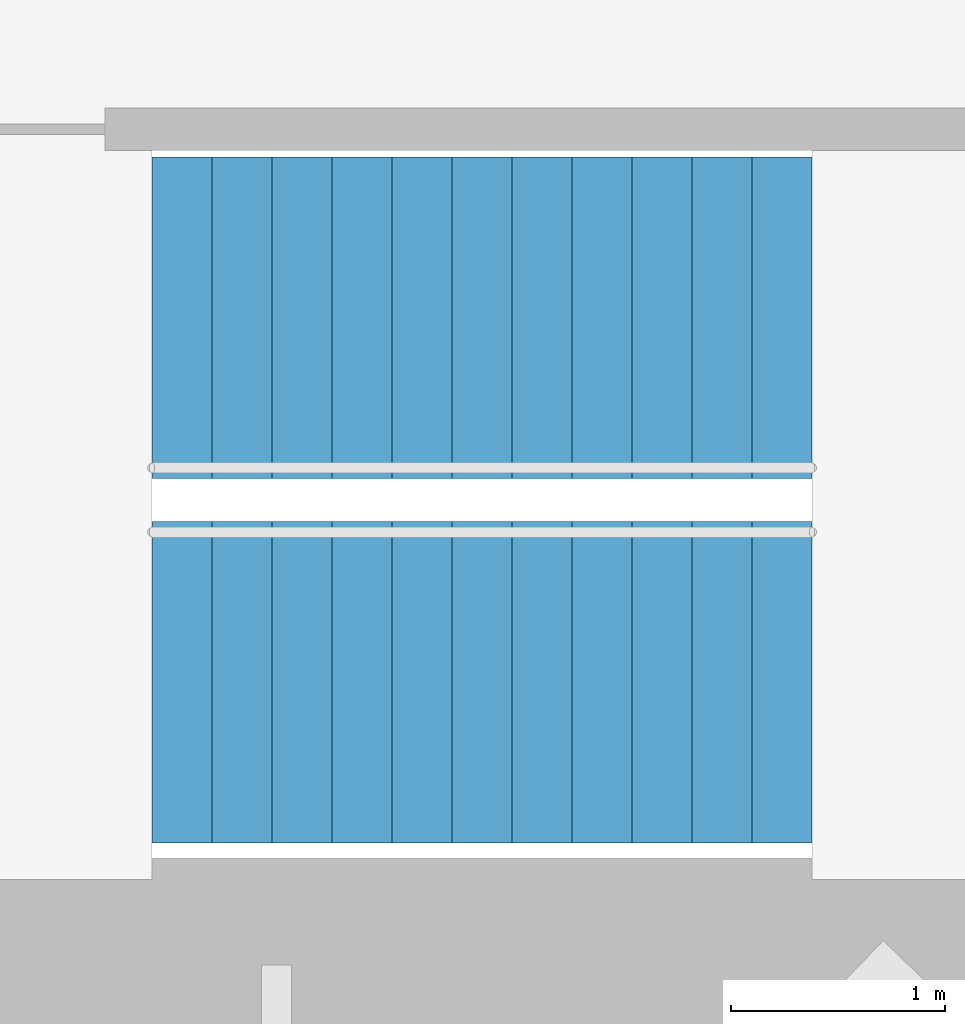
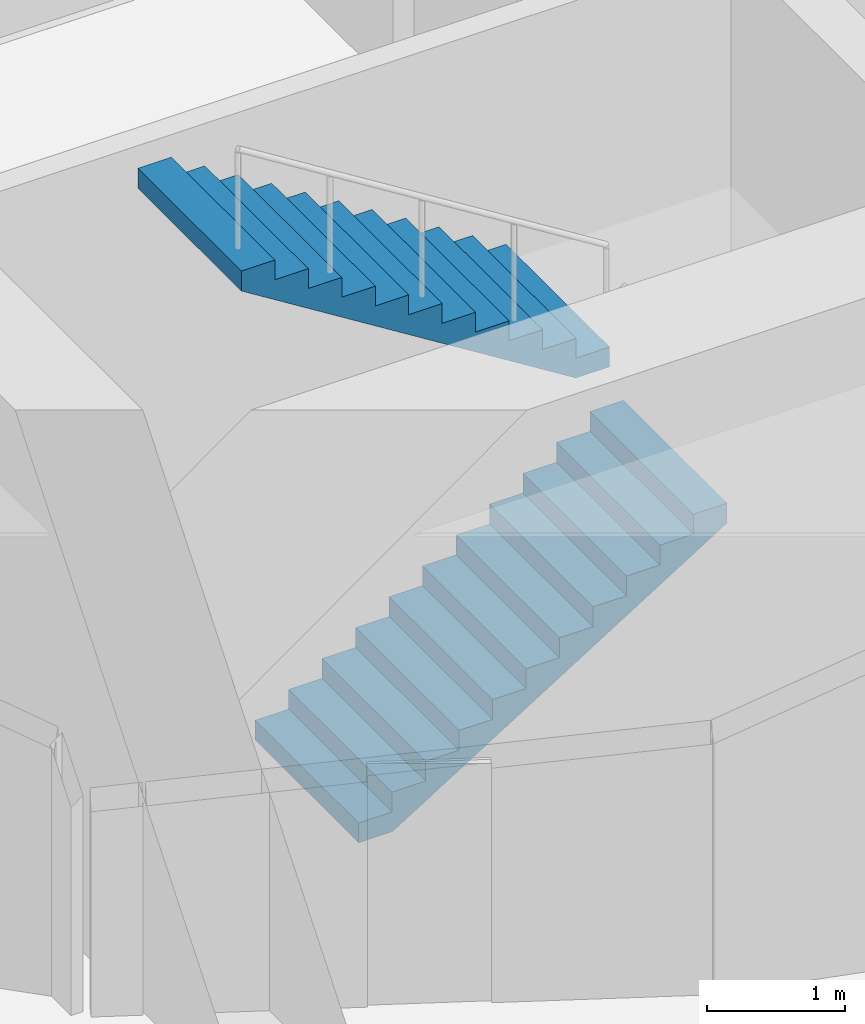
# One storey, part 17 of 19: 2 stair flights, 1 element without a shape of its own.
"""IFC4 building model written with IfcOpenShell, lengths in metres."""

from ifc_helpers import new_model, si_unit, direction, frame, origin, place, context, subcontext, project, spatial, triangles, material, type_object, element, aggregate, save


model = new_model("IFC4")

# Units and contexts
model_context = context("Model", 3, precision=1e-05, world=origin(), true_north=direction((0.0, 1.0)))
body_context = subcontext(model_context, "Body", "Model", "MODEL_VIEW")
ifc_project = project(units=[si_unit("LENGTHUNIT", "METRE"), si_unit("AREAUNIT", "SQUARE_METRE"), si_unit("VOLUMEUNIT", "CUBIC_METRE"), si_unit("PLANEANGLEUNIT", "RADIAN"), si_unit("MASSUNIT", "GRAM", prefix="KILO")], contexts=[model_context])

# Site, building, storey
site_placement = place(None, origin())
site = spatial("IfcSite", under=ifc_project, at=site_placement, CompositionType="ELEMENT")
building_placement = place(site_placement, origin())
building = spatial("IfcBuilding", under=site, at=building_placement, Name="Lantaw Convention Tower", CompositionType="ELEMENT")
storey_placement = place(building_placement, frame((0.0, 0.0, 245.199951171875)))
storey = spatial("IfcBuildingStorey", under=building, at=storey_placement, Name="L57", CompositionType="ELEMENT", Elevation=245.199951171875)

# Stair, stair flights
ifc_material = material(Name="Concrete C35/45", Category="concrete")
stair_type = type_object("IfcStairType", Name="Exit stair 1500 riser 175 in 2 flights", PredefinedType="HALF_TURN_STAIR", material=ifc_material)
stair_placement = place(storey_placement, origin())
stair = element("IfcStair", 1, at=stair_placement, inside=storey, type_object=stair_type, Name="Exit stair S1 L57", PredefinedType="HALF_TURN_STAIR")
stair_flight_type = type_object("IfcStairFlightType", Name="Stair flight 1500 riser 175", PredefinedType="STRAIGHT", material=ifc_material)
stair_flight_1_placement = place(storey_placement, frame((-10.580078125, -5.97998046875, 0.0), z_axis=(0.0, 0.0, 1.0), x_axis=(1.0, 0.0, 0.0)))
stair_flight_1 = element("IfcStairFlight", 2, at=stair_flight_1_placement, type_object=stair_flight_type, Name="S1 flight 1", NumberOfRisers=12, NumberOfTreads=11, PredefinedType="STRAIGHT", RiserHeight=0.175, TreadLength=0.28, context=body_context, shape_type="Tessellation", body=[
    triangles([(0.0, 0.75, 0.0), (0.0, 0.75, 0.175), (0.28, 0.75, 0.0), (0.28, 0.75, 0.175), (0.28, 0.75, 0.35), (0.28283517651771284, 0.75, 0.0), (0.28283517651771284, 0.75, 0.35), (0.56, 0.75, 0.17322801467642948), (0.56, 0.75, 0.35), (0.56, 0.75, 0.5249999999999999), (0.8400000000000001, 0.75, 0.34822801467642944), (0.8400000000000001, 0.75, 0.5249999999999999), (0.8400000000000001, 0.75, 0.7), (1.12, 0.75, 0.5232280146764294), (1.12, 0.75, 0.7), (1.12, 0.75, 0.875), (1.4000000000000001, 0.75, 0.6982280146764295), (1.4000000000000001, 0.75, 0.875), (1.4000000000000001, 0.75, 1.0499999999999998), (1.6800000000000002, 0.75, 0.8732280146764294), (1.6800000000000002, 0.75, 1.0499999999999998), (1.6800000000000002, 0.75, 1.2249999999999999), (1.9600000000000002, 0.75, 1.0482280146764293), (1.9600000000000002, 0.75, 1.2249999999999999), (1.9600000000000002, 0.75, 1.4), (2.24, 0.75, 1.2232280146764294), (2.24, 0.75, 1.4), (2.24, 0.75, 1.575), (2.5200000000000005, 0.75, 1.3982280146764294), (2.5200000000000005, 0.75, 1.575), (2.5200000000000005, 0.75, 1.75), (2.8000000000000003, 0.75, 1.5732280146764293), (2.8000000000000003, 0.75, 1.75), (2.8000000000000003, 0.75, 1.9249999999999998), (3.08, 0.75, 1.7482280146764293), (3.08, 0.75, 1.9249999999999998), (0.0, -0.75, 0.0), (0.0, -0.75, 0.175), (0.28, -0.75, 0.0), (0.28, -0.75, 0.175), (0.28, -0.75, 0.35), (0.28283517651771284, -0.75, 0.0), (0.28283517651771284, -0.75, 0.35), (0.56, -0.75, 0.17322801467642948), (0.56, -0.75, 0.35), (0.56, -0.75, 0.5249999999999999), (0.8400000000000001, -0.75, 0.34822801467642944), (0.8400000000000001, -0.75, 0.5249999999999999), (0.8400000000000001, -0.75, 0.7), (1.12, -0.75, 0.5232280146764294), (1.12, -0.75, 0.7), (1.12, -0.75, 0.875), (1.4000000000000001, -0.75, 0.6982280146764295), (1.4000000000000001, -0.75, 0.875), (1.4000000000000001, -0.75, 1.0499999999999998), (1.6800000000000002, -0.75, 0.8732280146764294), (1.6800000000000002, -0.75, 1.0499999999999998), (1.6800000000000002, -0.75, 1.2249999999999999), (1.9600000000000002, -0.75, 1.0482280146764293), (1.9600000000000002, -0.75, 1.2249999999999999), (1.9600000000000002, -0.75, 1.4), (2.24, -0.75, 1.2232280146764294), (2.24, -0.75, 1.4), (2.24, -0.75, 1.575), (2.5200000000000005, -0.75, 1.3982280146764294), (2.5200000000000005, -0.75, 1.575), (2.5200000000000005, -0.75, 1.75), (2.8000000000000003, -0.75, 1.5732280146764293), (2.8000000000000003, -0.75, 1.75), (2.8000000000000003, -0.75, 1.9249999999999998), (3.08, -0.75, 1.7482280146764293), (3.08, -0.75, 1.9249999999999998), (0.0, 0.15000000000000002, 0.175), (0.0, 0.15000000000000002, 0.0), (0.0, 0.0, 0.175), (0.0, 0.0, 0.0), (0.0, -0.15000000000000002, 0.175), (0.0, -0.15000000000000002, 0.0), (0.28, 0.15000000000000002, 0.35), (0.28, 0.15000000000000002, 0.175), (0.28, 0.0, 0.35), (0.28, 0.0, 0.175), (0.28, -0.15000000000000002, 0.35), (0.28, -0.15000000000000002, 0.175), (0.56, 0.15000000000000002, 0.5249999999999999), (0.56, 0.15000000000000002, 0.35), (0.56, 0.0, 0.5249999999999999), (0.56, 0.0, 0.35), (0.56, -0.15000000000000002, 0.5249999999999999), (0.56, -0.15000000000000002, 0.35), (0.8400000000000001, 0.15000000000000002, 0.7), (0.8400000000000001, 0.15000000000000002, 0.5249999999999999), (0.8400000000000001, 0.0, 0.7), (0.8400000000000001, 0.0, 0.5249999999999999), (0.8400000000000001, -0.15000000000000002, 0.7), (0.8400000000000001, -0.15000000000000002, 0.5249999999999999), (1.12, 0.15000000000000002, 0.875), (1.12, 0.15000000000000002, 0.7), (1.12, 0.0, 0.875), (1.12, 0.0, 0.7), (1.12, -0.15000000000000002, 0.875), (1.12, -0.15000000000000002, 0.7), (1.4000000000000001, 0.15000000000000002, 1.0499999999999998), (1.4000000000000001, 0.15000000000000002, 0.875), (1.4000000000000001, 0.0, 1.0499999999999998), (1.4000000000000001, 0.0, 0.875), (1.4000000000000001, -0.15000000000000002, 1.0499999999999998), (1.4000000000000001, -0.15000000000000002, 0.875), (1.6800000000000002, 0.15000000000000002, 1.2249999999999999), (1.6800000000000002, 0.15000000000000002, 1.0499999999999998), (1.6800000000000002, 0.0, 1.2249999999999999), (1.6800000000000002, 0.0, 1.0499999999999998), (1.6800000000000002, -0.15000000000000002, 1.2249999999999999), (1.6800000000000002, -0.15000000000000002, 1.0499999999999998), (1.9600000000000002, 0.15000000000000002, 1.4), (1.9600000000000002, 0.15000000000000002, 1.2249999999999999), (1.9600000000000002, 0.0, 1.4), (1.9600000000000002, 0.0, 1.2249999999999999), (1.9600000000000002, -0.15000000000000002, 1.4), (1.9600000000000002, -0.15000000000000002, 1.2249999999999999), (2.24, 0.15000000000000002, 1.575), (2.24, 0.15000000000000002, 1.4), (2.24, 0.0, 1.575), (2.24, 0.0, 1.4), (2.24, -0.15000000000000002, 1.575), (2.24, -0.15000000000000002, 1.4), (2.5200000000000005, 0.15000000000000002, 1.75), (2.5200000000000005, 0.15000000000000002, 1.575), (2.5200000000000005, 0.0, 1.75), (2.5200000000000005, 0.0, 1.575), (2.5200000000000005, -0.15000000000000002, 1.75), (2.5200000000000005, -0.15000000000000002, 1.575), (2.8000000000000003, 0.15000000000000002, 1.9249999999999998), (2.8000000000000003, 0.15000000000000002, 1.75), (2.8000000000000003, 0.0, 1.9249999999999998), (2.8000000000000003, 0.0, 1.75), (2.8000000000000003, -0.15000000000000002, 1.9249999999999998), (2.8000000000000003, -0.15000000000000002, 1.75), (0.28283517651771284, 0.15000000000000002, 0.35), (0.28283517651771284, 0.0, 0.35), (0.28283517651771284, -0.15000000000000002, 0.35), (3.08, 0.15000000000000002, 1.9249999999999998), (3.08, 0.0, 1.9249999999999998), (3.08, -0.15000000000000002, 1.9249999999999998), (3.08, 0.15000000000000002, 1.7482280146764293), (3.08, 0.0, 1.7482280146764293), (3.08, -0.15000000000000002, 1.7482280146764293), (2.8000000000000003, 0.15000000000000002, 1.5732280146764293), (2.8000000000000003, 0.0, 1.5732280146764293), (2.8000000000000003, -0.15000000000000002, 1.5732280146764293), (2.5200000000000005, 0.15000000000000002, 1.3982280146764294), (2.5200000000000005, 0.0, 1.3982280146764294), (2.5200000000000005, -0.15000000000000002, 1.3982280146764294), (2.24, 0.15000000000000002, 1.2232280146764294), (2.24, 0.0, 1.2232280146764294), (2.24, -0.15000000000000002, 1.2232280146764294), (1.9600000000000002, 0.15000000000000002, 1.0482280146764293), (1.9600000000000002, 0.0, 1.0482280146764293), (1.9600000000000002, -0.15000000000000002, 1.0482280146764293), (1.6800000000000002, 0.15000000000000002, 0.8732280146764294), (1.6800000000000002, 0.0, 0.8732280146764294), (1.6800000000000002, -0.15000000000000002, 0.8732280146764294), (1.4000000000000001, 0.15000000000000002, 0.6982280146764295), (1.4000000000000001, 0.0, 0.6982280146764295), (1.4000000000000001, -0.15000000000000002, 0.6982280146764295), (1.12, 0.15000000000000002, 0.5232280146764294), (1.12, 0.0, 0.5232280146764294), (1.12, -0.15000000000000002, 0.5232280146764294), (0.8400000000000001, 0.15000000000000002, 0.34822801467642944), (0.8400000000000001, 0.0, 0.34822801467642944), (0.8400000000000001, -0.15000000000000002, 0.34822801467642944), (0.56, 0.15000000000000002, 0.17322801467642948), (0.56, 0.0, 0.17322801467642948), (0.56, -0.15000000000000002, 0.17322801467642948), (0.28283517651771284, 0.15000000000000002, 0.0), (0.28283517651771284, 0.0, 0.0), (0.28283517651771284, -0.15000000000000002, 0.0), (0.28, 0.15000000000000002, 0.0), (0.28, 0.0, 0.0), (0.28, -0.15000000000000002, 0.0)], [[1, 4, 3], [1, 2, 4], [3, 4, 6], [4, 7, 6], [4, 5, 7], [6, 9, 8], [6, 7, 9], [8, 9, 11], [9, 12, 11], [9, 10, 12], [11, 12, 14], [12, 15, 14], [12, 13, 15], [14, 15, 17], [15, 18, 17], [15, 16, 18], [17, 18, 20], [18, 21, 20], [18, 19, 21], [20, 21, 23], [21, 24, 23], [21, 22, 24], [23, 24, 26], [24, 27, 26], [24, 25, 27], [26, 27, 29], [27, 30, 29], [27, 28, 30], [29, 30, 32], [30, 33, 32], [30, 31, 33], [32, 33, 35], [33, 36, 35], [33, 34, 36], [37, 39, 40], [37, 40, 38], [39, 42, 40], [40, 42, 43], [40, 43, 41], [42, 44, 45], [42, 45, 43], [44, 47, 45], [45, 47, 48], [45, 48, 46], [47, 50, 48], [48, 50, 51], [48, 51, 49], [50, 53, 51], [51, 53, 54], [51, 54, 52], [53, 56, 54], [54, 56, 57], [54, 57, 55], [56, 59, 57], [57, 59, 60], [57, 60, 58], [59, 62, 60], [60, 62, 63], [60, 63, 61], [62, 65, 63], [63, 65, 66], [63, 66, 64], [65, 68, 66], [66, 68, 69], [66, 69, 67], [68, 71, 69], [69, 71, 72], [69, 72, 70], [1, 73, 2], [1, 74, 73], [74, 75, 73], [74, 76, 75], [76, 77, 75], [76, 78, 77], [78, 38, 77], [78, 37, 38], [4, 79, 5], [4, 80, 79], [80, 81, 79], [80, 82, 81], [82, 83, 81], [82, 84, 83], [84, 41, 83], [84, 40, 41], [9, 85, 10], [9, 86, 85], [86, 87, 85], [86, 88, 87], [88, 89, 87], [88, 90, 89], [90, 46, 89], [90, 45, 46], [12, 91, 13], [12, 92, 91], [92, 93, 91], [92, 94, 93], [94, 95, 93], [94, 96, 95], [96, 49, 95], [96, 48, 49], [15, 97, 16], [15, 98, 97], [98, 99, 97], [98, 100, 99], [100, 101, 99], [100, 102, 101], [102, 52, 101], [102, 51, 52], [18, 103, 19], [18, 104, 103], [104, 105, 103], [104, 106, 105], [106, 107, 105], [106, 108, 107], [108, 55, 107], [108, 54, 55], [21, 109, 22], [21, 110, 109], [110, 111, 109], [110, 112, 111], [112, 113, 111], [112, 114, 113], [114, 58, 113], [114, 57, 58], [24, 115, 25], [24, 116, 115], [116, 117, 115], [116, 118, 117], [118, 119, 117], [118, 120, 119], [120, 61, 119], [120, 60, 61], [27, 121, 28], [27, 122, 121], [122, 123, 121], [122, 124, 123], [124, 125, 123], [124, 126, 125], [126, 64, 125], [126, 63, 64], [30, 127, 31], [30, 128, 127], [128, 129, 127], [128, 130, 129], [130, 131, 129], [130, 132, 131], [132, 67, 131], [132, 66, 67], [33, 133, 34], [33, 134, 133], [134, 135, 133], [134, 136, 135], [136, 137, 135], [136, 138, 137], [138, 70, 137], [138, 69, 70], [2, 80, 4], [2, 73, 80], [73, 82, 80], [73, 75, 82], [75, 84, 82], [75, 77, 84], [77, 40, 84], [77, 38, 40], [5, 139, 7], [5, 79, 139], [79, 140, 139], [79, 81, 140], [81, 141, 140], [81, 83, 141], [83, 43, 141], [83, 41, 43], [7, 86, 9], [7, 139, 86], [139, 88, 86], [139, 140, 88], [140, 90, 88], [140, 141, 90], [141, 45, 90], [141, 43, 45], [10, 92, 12], [10, 85, 92], [85, 94, 92], [85, 87, 94], [87, 96, 94], [87, 89, 96], [89, 48, 96], [89, 46, 48], [13, 98, 15], [13, 91, 98], [91, 100, 98], [91, 93, 100], [93, 102, 100], [93, 95, 102], [95, 51, 102], [95, 49, 51], [16, 104, 18], [16, 97, 104], [97, 106, 104], [97, 99, 106], [99, 108, 106], [99, 101, 108], [101, 54, 108], [101, 52, 54], [19, 110, 21], [19, 103, 110], [103, 112, 110], [103, 105, 112], [105, 114, 112], [105, 107, 114], [107, 57, 114], [107, 55, 57], [22, 116, 24], [22, 109, 116], [109, 118, 116], [109, 111, 118], [111, 120, 118], [111, 113, 120], [113, 60, 120], [113, 58, 60], [25, 122, 27], [25, 115, 122], [115, 124, 122], [115, 117, 124], [117, 126, 124], [117, 119, 126], [119, 63, 126], [119, 61, 63], [28, 128, 30], [28, 121, 128], [121, 130, 128], [121, 123, 130], [123, 132, 130], [123, 125, 132], [125, 66, 132], [125, 64, 66], [31, 134, 33], [31, 127, 134], [127, 136, 134], [127, 129, 136], [129, 138, 136], [129, 131, 138], [131, 69, 138], [131, 67, 69], [34, 142, 36], [34, 133, 142], [133, 143, 142], [133, 135, 143], [135, 144, 143], [135, 137, 144], [137, 72, 144], [137, 70, 72], [36, 145, 35], [36, 142, 145], [142, 146, 145], [142, 143, 146], [143, 147, 146], [143, 144, 147], [144, 71, 147], [144, 72, 71], [35, 148, 32], [35, 145, 148], [145, 149, 148], [145, 146, 149], [146, 150, 149], [146, 147, 150], [147, 68, 150], [147, 71, 68], [32, 151, 29], [32, 148, 151], [148, 152, 151], [148, 149, 152], [149, 153, 152], [149, 150, 153], [150, 65, 153], [150, 68, 65], [29, 154, 26], [29, 151, 154], [151, 155, 154], [151, 152, 155], [152, 156, 155], [152, 153, 156], [153, 62, 156], [153, 65, 62], [26, 157, 23], [26, 154, 157], [154, 158, 157], [154, 155, 158], [155, 159, 158], [155, 156, 159], [156, 59, 159], [156, 62, 59], [23, 160, 20], [23, 157, 160], [157, 161, 160], [157, 158, 161], [158, 162, 161], [158, 159, 162], [159, 56, 162], [159, 59, 56], [20, 163, 17], [20, 160, 163], [160, 164, 163], [160, 161, 164], [161, 165, 164], [161, 162, 165], [162, 53, 165], [162, 56, 53], [17, 166, 14], [17, 163, 166], [163, 167, 166], [163, 164, 167], [164, 168, 167], [164, 165, 168], [165, 50, 168], [165, 53, 50], [14, 169, 11], [14, 166, 169], [166, 170, 169], [166, 167, 170], [167, 171, 170], [167, 168, 171], [168, 47, 171], [168, 50, 47], [11, 172, 8], [11, 169, 172], [169, 173, 172], [169, 170, 173], [170, 174, 173], [170, 171, 174], [171, 44, 174], [171, 47, 44], [8, 175, 6], [8, 172, 175], [172, 176, 175], [172, 173, 176], [173, 177, 176], [173, 174, 177], [174, 42, 177], [174, 44, 42], [6, 178, 3], [6, 175, 178], [175, 179, 178], [175, 176, 179], [176, 180, 179], [176, 177, 180], [177, 39, 180], [177, 42, 39], [3, 74, 1], [3, 178, 74], [178, 76, 74], [178, 179, 76], [179, 78, 76], [179, 180, 78], [180, 37, 78], [180, 39, 37]], closed=True),
])
stair_flight_2_placement = place(storey_placement, frame((-7.5, -4.280029296875, 2.10009765625), z_axis=(0.0, 0.0, 1.0), x_axis=(-1.0, 0.0, 0.0)))
stair_flight_2 = element("IfcStairFlight", 3, at=stair_flight_2_placement, type_object=stair_flight_type, Name="S1 flight 2", NumberOfRisers=12, NumberOfTreads=11, PredefinedType="STRAIGHT", RiserHeight=0.175, TreadLength=0.28, context=body_context, shape_type="Tessellation", body=[
    triangles([(0.0, 0.75, 0.0), (0.0, 0.75, 0.175), (0.28, 0.75, 0.0), (0.28, 0.75, 0.175), (0.28, 0.75, 0.35), (0.28283517651771284, 0.75, 0.0), (0.28283517651771284, 0.75, 0.35), (0.56, 0.75, 0.17322801467642948), (0.56, 0.75, 0.35), (0.56, 0.75, 0.5249999999999999), (0.8400000000000001, 0.75, 0.34822801467642944), (0.8400000000000001, 0.75, 0.5249999999999999), (0.8400000000000001, 0.75, 0.7), (1.12, 0.75, 0.5232280146764294), (1.12, 0.75, 0.7), (1.12, 0.75, 0.875), (1.4000000000000001, 0.75, 0.6982280146764295), (1.4000000000000001, 0.75, 0.875), (1.4000000000000001, 0.75, 1.0499999999999998), (1.6800000000000002, 0.75, 0.8732280146764294), (1.6800000000000002, 0.75, 1.0499999999999998), (1.6800000000000002, 0.75, 1.2249999999999999), (1.9600000000000002, 0.75, 1.0482280146764293), (1.9600000000000002, 0.75, 1.2249999999999999), (1.9600000000000002, 0.75, 1.4), (2.24, 0.75, 1.2232280146764294), (2.24, 0.75, 1.4), (2.24, 0.75, 1.575), (2.5200000000000005, 0.75, 1.3982280146764294), (2.5200000000000005, 0.75, 1.575), (2.5200000000000005, 0.75, 1.75), (2.8000000000000003, 0.75, 1.5732280146764293), (2.8000000000000003, 0.75, 1.75), (2.8000000000000003, 0.75, 1.9249999999999998), (3.08, 0.75, 1.7482280146764293), (3.08, 0.75, 1.9249999999999998), (0.0, -0.75, 0.0), (0.0, -0.75, 0.175), (0.28, -0.75, 0.0), (0.28, -0.75, 0.175), (0.28, -0.75, 0.35), (0.28283517651771284, -0.75, 0.0), (0.28283517651771284, -0.75, 0.35), (0.56, -0.75, 0.17322801467642948), (0.56, -0.75, 0.35), (0.56, -0.75, 0.5249999999999999), (0.8400000000000001, -0.75, 0.34822801467642944), (0.8400000000000001, -0.75, 0.5249999999999999), (0.8400000000000001, -0.75, 0.7), (1.12, -0.75, 0.5232280146764294), (1.12, -0.75, 0.7), (1.12, -0.75, 0.875), (1.4000000000000001, -0.75, 0.6982280146764295), (1.4000000000000001, -0.75, 0.875), (1.4000000000000001, -0.75, 1.0499999999999998), (1.6800000000000002, -0.75, 0.8732280146764294), (1.6800000000000002, -0.75, 1.0499999999999998), (1.6800000000000002, -0.75, 1.2249999999999999), (1.9600000000000002, -0.75, 1.0482280146764293), (1.9600000000000002, -0.75, 1.2249999999999999), (1.9600000000000002, -0.75, 1.4), (2.24, -0.75, 1.2232280146764294), (2.24, -0.75, 1.4), (2.24, -0.75, 1.575), (2.5200000000000005, -0.75, 1.3982280146764294), (2.5200000000000005, -0.75, 1.575), (2.5200000000000005, -0.75, 1.75), (2.8000000000000003, -0.75, 1.5732280146764293), (2.8000000000000003, -0.75, 1.75), (2.8000000000000003, -0.75, 1.9249999999999998), (3.08, -0.75, 1.7482280146764293), (3.08, -0.75, 1.9249999999999998), (0.0, 0.15000000000000002, 0.175), (0.0, 0.15000000000000002, 0.0), (0.0, 0.0, 0.175), (0.0, 0.0, 0.0), (0.0, -0.15000000000000002, 0.175), (0.0, -0.15000000000000002, 0.0), (0.28, 0.15000000000000002, 0.35), (0.28, 0.15000000000000002, 0.175), (0.28, 0.0, 0.35), (0.28, 0.0, 0.175), (0.28, -0.15000000000000002, 0.35), (0.28, -0.15000000000000002, 0.175), (0.56, 0.15000000000000002, 0.5249999999999999), (0.56, 0.15000000000000002, 0.35), (0.56, 0.0, 0.5249999999999999), (0.56, 0.0, 0.35), (0.56, -0.15000000000000002, 0.5249999999999999), (0.56, -0.15000000000000002, 0.35), (0.8400000000000001, 0.15000000000000002, 0.7), (0.8400000000000001, 0.15000000000000002, 0.5249999999999999), (0.8400000000000001, 0.0, 0.7), (0.8400000000000001, 0.0, 0.5249999999999999), (0.8400000000000001, -0.15000000000000002, 0.7), (0.8400000000000001, -0.15000000000000002, 0.5249999999999999), (1.12, 0.15000000000000002, 0.875), (1.12, 0.15000000000000002, 0.7), (1.12, 0.0, 0.875), (1.12, 0.0, 0.7), (1.12, -0.15000000000000002, 0.875), (1.12, -0.15000000000000002, 0.7), (1.4000000000000001, 0.15000000000000002, 1.0499999999999998), (1.4000000000000001, 0.15000000000000002, 0.875), (1.4000000000000001, 0.0, 1.0499999999999998), (1.4000000000000001, 0.0, 0.875), (1.4000000000000001, -0.15000000000000002, 1.0499999999999998), (1.4000000000000001, -0.15000000000000002, 0.875), (1.6800000000000002, 0.15000000000000002, 1.2249999999999999), (1.6800000000000002, 0.15000000000000002, 1.0499999999999998), (1.6800000000000002, 0.0, 1.2249999999999999), (1.6800000000000002, 0.0, 1.0499999999999998), (1.6800000000000002, -0.15000000000000002, 1.2249999999999999), (1.6800000000000002, -0.15000000000000002, 1.0499999999999998), (1.9600000000000002, 0.15000000000000002, 1.4), (1.9600000000000002, 0.15000000000000002, 1.2249999999999999), (1.9600000000000002, 0.0, 1.4), (1.9600000000000002, 0.0, 1.2249999999999999), (1.9600000000000002, -0.15000000000000002, 1.4), (1.9600000000000002, -0.15000000000000002, 1.2249999999999999), (2.24, 0.15000000000000002, 1.575), (2.24, 0.15000000000000002, 1.4), (2.24, 0.0, 1.575), (2.24, 0.0, 1.4), (2.24, -0.15000000000000002, 1.575), (2.24, -0.15000000000000002, 1.4), (2.5200000000000005, 0.15000000000000002, 1.75), (2.5200000000000005, 0.15000000000000002, 1.575), (2.5200000000000005, 0.0, 1.75), (2.5200000000000005, 0.0, 1.575), (2.5200000000000005, -0.15000000000000002, 1.75), (2.5200000000000005, -0.15000000000000002, 1.575), (2.8000000000000003, 0.15000000000000002, 1.9249999999999998), (2.8000000000000003, 0.15000000000000002, 1.75), (2.8000000000000003, 0.0, 1.9249999999999998), (2.8000000000000003, 0.0, 1.75), (2.8000000000000003, -0.15000000000000002, 1.9249999999999998), (2.8000000000000003, -0.15000000000000002, 1.75), (0.28283517651771284, 0.15000000000000002, 0.35), (0.28283517651771284, 0.0, 0.35), (0.28283517651771284, -0.15000000000000002, 0.35), (3.08, 0.15000000000000002, 1.9249999999999998), (3.08, 0.0, 1.9249999999999998), (3.08, -0.15000000000000002, 1.9249999999999998), (3.08, 0.15000000000000002, 1.7482280146764293), (3.08, 0.0, 1.7482280146764293), (3.08, -0.15000000000000002, 1.7482280146764293), (2.8000000000000003, 0.15000000000000002, 1.5732280146764293), (2.8000000000000003, 0.0, 1.5732280146764293), (2.8000000000000003, -0.15000000000000002, 1.5732280146764293), (2.5200000000000005, 0.15000000000000002, 1.3982280146764294), (2.5200000000000005, 0.0, 1.3982280146764294), (2.5200000000000005, -0.15000000000000002, 1.3982280146764294), (2.24, 0.15000000000000002, 1.2232280146764294), (2.24, 0.0, 1.2232280146764294), (2.24, -0.15000000000000002, 1.2232280146764294), (1.9600000000000002, 0.15000000000000002, 1.0482280146764293), (1.9600000000000002, 0.0, 1.0482280146764293), (1.9600000000000002, -0.15000000000000002, 1.0482280146764293), (1.6800000000000002, 0.15000000000000002, 0.8732280146764294), (1.6800000000000002, 0.0, 0.8732280146764294), (1.6800000000000002, -0.15000000000000002, 0.8732280146764294), (1.4000000000000001, 0.15000000000000002, 0.6982280146764295), (1.4000000000000001, 0.0, 0.6982280146764295), (1.4000000000000001, -0.15000000000000002, 0.6982280146764295), (1.12, 0.15000000000000002, 0.5232280146764294), (1.12, 0.0, 0.5232280146764294), (1.12, -0.15000000000000002, 0.5232280146764294), (0.8400000000000001, 0.15000000000000002, 0.34822801467642944), (0.8400000000000001, 0.0, 0.34822801467642944), (0.8400000000000001, -0.15000000000000002, 0.34822801467642944), (0.56, 0.15000000000000002, 0.17322801467642948), (0.56, 0.0, 0.17322801467642948), (0.56, -0.15000000000000002, 0.17322801467642948), (0.28283517651771284, 0.15000000000000002, 0.0), (0.28283517651771284, 0.0, 0.0), (0.28283517651771284, -0.15000000000000002, 0.0), (0.28, 0.15000000000000002, 0.0), (0.28, 0.0, 0.0), (0.28, -0.15000000000000002, 0.0)], [[1, 4, 3], [1, 2, 4], [3, 4, 6], [4, 7, 6], [4, 5, 7], [6, 9, 8], [6, 7, 9], [8, 9, 11], [9, 12, 11], [9, 10, 12], [11, 12, 14], [12, 15, 14], [12, 13, 15], [14, 15, 17], [15, 18, 17], [15, 16, 18], [17, 18, 20], [18, 21, 20], [18, 19, 21], [20, 21, 23], [21, 24, 23], [21, 22, 24], [23, 24, 26], [24, 27, 26], [24, 25, 27], [26, 27, 29], [27, 30, 29], [27, 28, 30], [29, 30, 32], [30, 33, 32], [30, 31, 33], [32, 33, 35], [33, 36, 35], [33, 34, 36], [37, 39, 40], [37, 40, 38], [39, 42, 40], [40, 42, 43], [40, 43, 41], [42, 44, 45], [42, 45, 43], [44, 47, 45], [45, 47, 48], [45, 48, 46], [47, 50, 48], [48, 50, 51], [48, 51, 49], [50, 53, 51], [51, 53, 54], [51, 54, 52], [53, 56, 54], [54, 56, 57], [54, 57, 55], [56, 59, 57], [57, 59, 60], [57, 60, 58], [59, 62, 60], [60, 62, 63], [60, 63, 61], [62, 65, 63], [63, 65, 66], [63, 66, 64], [65, 68, 66], [66, 68, 69], [66, 69, 67], [68, 71, 69], [69, 71, 72], [69, 72, 70], [1, 73, 2], [1, 74, 73], [74, 75, 73], [74, 76, 75], [76, 77, 75], [76, 78, 77], [78, 38, 77], [78, 37, 38], [4, 79, 5], [4, 80, 79], [80, 81, 79], [80, 82, 81], [82, 83, 81], [82, 84, 83], [84, 41, 83], [84, 40, 41], [9, 85, 10], [9, 86, 85], [86, 87, 85], [86, 88, 87], [88, 89, 87], [88, 90, 89], [90, 46, 89], [90, 45, 46], [12, 91, 13], [12, 92, 91], [92, 93, 91], [92, 94, 93], [94, 95, 93], [94, 96, 95], [96, 49, 95], [96, 48, 49], [15, 97, 16], [15, 98, 97], [98, 99, 97], [98, 100, 99], [100, 101, 99], [100, 102, 101], [102, 52, 101], [102, 51, 52], [18, 103, 19], [18, 104, 103], [104, 105, 103], [104, 106, 105], [106, 107, 105], [106, 108, 107], [108, 55, 107], [108, 54, 55], [21, 109, 22], [21, 110, 109], [110, 111, 109], [110, 112, 111], [112, 113, 111], [112, 114, 113], [114, 58, 113], [114, 57, 58], [24, 115, 25], [24, 116, 115], [116, 117, 115], [116, 118, 117], [118, 119, 117], [118, 120, 119], [120, 61, 119], [120, 60, 61], [27, 121, 28], [27, 122, 121], [122, 123, 121], [122, 124, 123], [124, 125, 123], [124, 126, 125], [126, 64, 125], [126, 63, 64], [30, 127, 31], [30, 128, 127], [128, 129, 127], [128, 130, 129], [130, 131, 129], [130, 132, 131], [132, 67, 131], [132, 66, 67], [33, 133, 34], [33, 134, 133], [134, 135, 133], [134, 136, 135], [136, 137, 135], [136, 138, 137], [138, 70, 137], [138, 69, 70], [2, 80, 4], [2, 73, 80], [73, 82, 80], [73, 75, 82], [75, 84, 82], [75, 77, 84], [77, 40, 84], [77, 38, 40], [5, 139, 7], [5, 79, 139], [79, 140, 139], [79, 81, 140], [81, 141, 140], [81, 83, 141], [83, 43, 141], [83, 41, 43], [7, 86, 9], [7, 139, 86], [139, 88, 86], [139, 140, 88], [140, 90, 88], [140, 141, 90], [141, 45, 90], [141, 43, 45], [10, 92, 12], [10, 85, 92], [85, 94, 92], [85, 87, 94], [87, 96, 94], [87, 89, 96], [89, 48, 96], [89, 46, 48], [13, 98, 15], [13, 91, 98], [91, 100, 98], [91, 93, 100], [93, 102, 100], [93, 95, 102], [95, 51, 102], [95, 49, 51], [16, 104, 18], [16, 97, 104], [97, 106, 104], [97, 99, 106], [99, 108, 106], [99, 101, 108], [101, 54, 108], [101, 52, 54], [19, 110, 21], [19, 103, 110], [103, 112, 110], [103, 105, 112], [105, 114, 112], [105, 107, 114], [107, 57, 114], [107, 55, 57], [22, 116, 24], [22, 109, 116], [109, 118, 116], [109, 111, 118], [111, 120, 118], [111, 113, 120], [113, 60, 120], [113, 58, 60], [25, 122, 27], [25, 115, 122], [115, 124, 122], [115, 117, 124], [117, 126, 124], [117, 119, 126], [119, 63, 126], [119, 61, 63], [28, 128, 30], [28, 121, 128], [121, 130, 128], [121, 123, 130], [123, 132, 130], [123, 125, 132], [125, 66, 132], [125, 64, 66], [31, 134, 33], [31, 127, 134], [127, 136, 134], [127, 129, 136], [129, 138, 136], [129, 131, 138], [131, 69, 138], [131, 67, 69], [34, 142, 36], [34, 133, 142], [133, 143, 142], [133, 135, 143], [135, 144, 143], [135, 137, 144], [137, 72, 144], [137, 70, 72], [36, 145, 35], [36, 142, 145], [142, 146, 145], [142, 143, 146], [143, 147, 146], [143, 144, 147], [144, 71, 147], [144, 72, 71], [35, 148, 32], [35, 145, 148], [145, 149, 148], [145, 146, 149], [146, 150, 149], [146, 147, 150], [147, 68, 150], [147, 71, 68], [32, 151, 29], [32, 148, 151], [148, 152, 151], [148, 149, 152], [149, 153, 152], [149, 150, 153], [150, 65, 153], [150, 68, 65], [29, 154, 26], [29, 151, 154], [151, 155, 154], [151, 152, 155], [152, 156, 155], [152, 153, 156], [153, 62, 156], [153, 65, 62], [26, 157, 23], [26, 154, 157], [154, 158, 157], [154, 155, 158], [155, 159, 158], [155, 156, 159], [156, 59, 159], [156, 62, 59], [23, 160, 20], [23, 157, 160], [157, 161, 160], [157, 158, 161], [158, 162, 161], [158, 159, 162], [159, 56, 162], [159, 59, 56], [20, 163, 17], [20, 160, 163], [160, 164, 163], [160, 161, 164], [161, 165, 164], [161, 162, 165], [162, 53, 165], [162, 56, 53], [17, 166, 14], [17, 163, 166], [163, 167, 166], [163, 164, 167], [164, 168, 167], [164, 165, 168], [165, 50, 168], [165, 53, 50], [14, 169, 11], [14, 166, 169], [166, 170, 169], [166, 167, 170], [167, 171, 170], [167, 168, 171], [168, 47, 171], [168, 50, 47], [11, 172, 8], [11, 169, 172], [169, 173, 172], [169, 170, 173], [170, 174, 173], [170, 171, 174], [171, 44, 174], [171, 47, 44], [8, 175, 6], [8, 172, 175], [172, 176, 175], [172, 173, 176], [173, 177, 176], [173, 174, 177], [174, 42, 177], [174, 44, 42], [6, 178, 3], [6, 175, 178], [175, 179, 178], [175, 176, 179], [176, 180, 179], [176, 177, 180], [177, 39, 180], [177, 42, 39], [3, 74, 1], [3, 178, 74], [178, 76, 74], [178, 179, 76], [179, 78, 76], [179, 180, 78], [180, 37, 78], [180, 39, 37]], closed=True),
])
aggregate(stair, [stair_flight_1, stair_flight_2])

save(model, "model.ifc")
